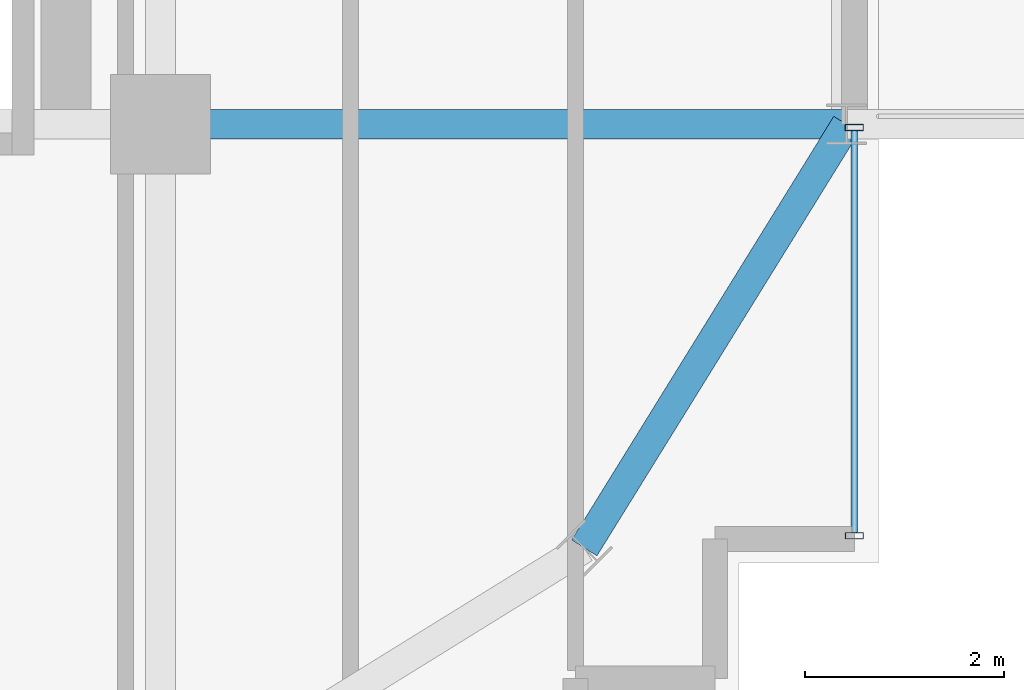
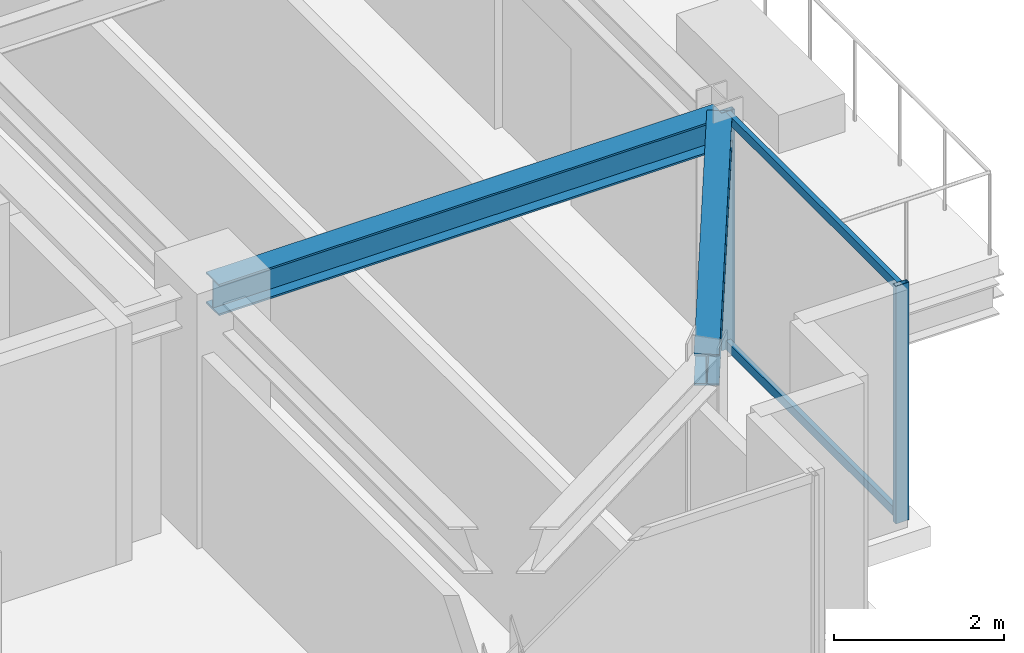
# One storey, part 13 of 36: 4 members, 2 beams, 1 element without a shape of its own.
"""IFC4 building model written with IfcOpenShell, lengths in metres."""

from ifc_helpers import new_model, si_unit, direction, frame, origin, origin_2d, place, context, subcontext, project, spatial, hollow_rectangle, i_section, extrude, source, transform, mapped, material, material_profile, profile_set, type_object, element, aggregate, save


model = new_model("IFC4")

# Units and contexts
model_context = context("Model", 3, precision=1e-05, world=origin(), true_north=direction((0.0, 1.0)))
body_context = subcontext(model_context, "Body", "Model", "MODEL_VIEW")
ifc_project = project(units=[si_unit("LENGTHUNIT", "METRE"), si_unit("AREAUNIT", "SQUARE_METRE"), si_unit("VOLUMEUNIT", "CUBIC_METRE"), si_unit("PLANEANGLEUNIT", "RADIAN"), si_unit("MASSUNIT", "GRAM", prefix="KILO")], contexts=[model_context])

# Site, building, storey
site_placement = place(None, origin())
site = spatial("IfcSite", under=ifc_project, at=site_placement, CompositionType="ELEMENT")
building_placement = place(site_placement, origin())
building = spatial("IfcBuilding", under=site, at=building_placement, Name="Nahalor Promenade Grand Hotel", CompositionType="ELEMENT")
storey_placement = place(building_placement, frame((0.0, 0.0, 219.699951171875)))
storey = spatial("IfcBuildingStorey", under=building, at=storey_placement, Name="L56", CompositionType="ELEMENT", Elevation=219.699951171875)

# Beams
ifc_material_1 = material(Name="Steel S355JR", Category="steel")
ifc_material_profile_1 = material_profile(ifc_material_1, i_section(OverallWidth=0.3, OverallDepth=0.45, WebThickness=0.014, FlangeThickness=0.026, at=origin_2d()), Name="HEB 450")
ifc_profile_set_1 = profile_set([ifc_material_profile_1], Name="Steel S355JR")
beam_type_1 = type_object("IfcBeamType", Name="Beam-Spandrel-HEB450", PredefinedType="SPANDREL", material=ifc_profile_set_1)
shared_shape_1 = source(origin(), body_context, "Body", "SweptSolid", [
    extrude(i_section(OverallWidth=0.3, OverallDepth=0.45, WebThickness=0.014, FlangeThickness=0.026, at=origin_2d()), origin(), (0.0, 0.0, 1.0), 4.997802734375),
])
beam_1_placement = place(storey_placement, frame((21.25, -21.25, 3.18505859375), z_axis=(0.526199891161, 0.850360908404, 0.0), x_axis=(-0.850360908404, 0.526199891161, 0.0)))
element("IfcBeam", 1, at=beam_1_placement, inside=storey, type_object=beam_type_1, Name="BM-L56-SPC-SE-2", PredefinedType="SPANDREL", context=body_context, shape_type="MappedRepresentation", body=[
    mapped(shared_shape_1, transform((0.0, 0.0, 0.0), scale=1.0)),
])
ifc_material_profile_2 = material_profile(ifc_material_1, i_section(OverallWidth=0.3, OverallDepth=0.45, WebThickness=0.014, FlangeThickness=0.026, at=origin_2d()), Name="HEB 450")
ifc_profile_set_2 = profile_set([ifc_material_profile_2], Name="Steel S355JR")
beam_type_2 = type_object("IfcBeamType", Name="Beam-Girder-HEB450", PredefinedType="BEAM", material=ifc_profile_set_2)
shared_shape_2 = source(origin(), body_context, "Body", "SweptSolid", [
    extrude(i_section(OverallWidth=0.3, OverallDepth=0.45, WebThickness=0.014, FlangeThickness=0.026, at=origin_2d()), origin(), (0.0, 0.0, 1.0), 6.8798828125),
])
beam_2_placement = place(storey_placement, frame((17.0, -17.0, 3.18505859375), z_axis=(1.0, 0.0, 0.0), x_axis=(0.0, 1.0, 0.0)))
element("IfcBeam", 2, at=beam_2_placement, inside=storey, type_object=beam_type_2, Name="BM-L56-GX-0-6", PredefinedType="BEAM", context=body_context, shape_type="MappedRepresentation", body=[
    mapped(shared_shape_2, transform((0.0, 0.0, 0.0), scale=1.0)),
])

# Curtain wall, members
ifc_material_2 = material(Name="Anodised Bronze Aluminium EN AW-6063 T6", Category="aluminium")
curtain_wall_type = type_object("IfcCurtainWallType", Name="CW2 Typical Hotel Flush Bronze Unitised Curtain Wall", PredefinedType="USERDEFINED", material=ifc_material_2)
curtain_wall_placement = place(storey_placement, origin())
curtain_wall = element("IfcCurtainWall", 3, at=curtain_wall_placement, inside=storey, type_object=curtain_wall_type, Name="L56 Curtain Wall CW-L56-E-1", ObjectType="UNITISED_CURTAIN_WALL", PredefinedType="USERDEFINED")
ifc_material_profile_3 = material_profile(ifc_material_2, hollow_rectangle(XDim=0.065, YDim=0.18, WallThickness=0.004, at=origin_2d()), Name="CWM 65x180x4")
ifc_profile_set_3 = profile_set([ifc_material_profile_3], Name="Anodised Bronze Aluminium EN AW-6063 T6")
member_type_1 = type_object("IfcMemberType", Name="CWM2 Typical Bronze Mullion 65x180", PredefinedType="MULLION", material=ifc_profile_set_3)
shared_shape_3 = source(origin(), body_context, "Body", "SweptSolid", [
    extrude(hollow_rectangle(XDim=0.065, YDim=0.18, WallThickness=0.004, at=origin_2d()), origin(), (0.0, 0.0, 1.0), 3.41015625),
])
member_1_placement = place(storey_placement, frame((23.9599609375, -21.12744140625, 0.0), z_axis=(0.0, 0.0, 1.0), x_axis=(0.0, 1.0, 0.0)))
member_1 = element("IfcMember", 4, at=member_1_placement, type_object=member_type_1, Name="CW-L56-E-1 Mullion 0", PredefinedType="MULLION", context=body_context, shape_type="MappedRepresentation", body=[
    mapped(shared_shape_3, transform((0.0, 0.0, 0.0), scale=1.0)),
])
member_2_placement = place(storey_placement, frame((23.9599609375, -17.032470703125, 0.0), z_axis=(0.0, 0.0, 1.0), x_axis=(0.0, 1.0, 0.0)))
member_2 = element("IfcMember", 5, at=member_2_placement, type_object=member_type_1, Name="CW-L56-E-1 Mullion 1", PredefinedType="MULLION", context=body_context, shape_type="MappedRepresentation", body=[
    mapped(shared_shape_3, transform((0.0, 0.0, 0.0), scale=1.0)),
])
ifc_material_profile_4 = material_profile(ifc_material_2, hollow_rectangle(XDim=0.065, YDim=0.13, WallThickness=0.004, at=origin_2d()), Name="CWT 65x130x4")
ifc_profile_set_4 = profile_set([ifc_material_profile_4], Name="Anodised Bronze Aluminium EN AW-6063 T6")
member_type_2 = type_object("IfcMemberType", Name="CWT2 Typical Bronze Transom 65x130", PredefinedType="USERDEFINED", material=ifc_profile_set_4)
shared_shape_4 = source(origin(), body_context, "Body", "SweptSolid", [
    extrude(hollow_rectangle(XDim=0.065, YDim=0.13, WallThickness=0.004, at=origin_2d()), origin(), (0.0, 0.0, 1.0), 4.030029296875),
])
member_3_placement = place(storey_placement, frame((23.9599609375, -21.094970703125, 0.06494140625), z_axis=(0.0, 1.0, 0.0), x_axis=(-1.0, 0.0, 0.0)))
member_3 = element("IfcMember", 6, at=member_3_placement, type_object=member_type_2, Name="CW-L56-E-1 Transom 0-0", ObjectType="TRANSOM", PredefinedType="USERDEFINED", context=body_context, shape_type="MappedRepresentation", body=[
    mapped(shared_shape_4, transform((0.0, 0.0, 0.0), scale=1.0)),
])
member_4_placement = place(storey_placement, frame((23.9599609375, -21.094970703125, 3.344970703125), z_axis=(0.0, 1.0, 0.0), x_axis=(-1.0, 0.0, 0.0)))
member_4 = element("IfcMember", 7, at=member_4_placement, type_object=member_type_2, Name="CW-L56-E-1 Transom 0-1", ObjectType="TRANSOM", PredefinedType="USERDEFINED", context=body_context, shape_type="MappedRepresentation", body=[
    mapped(shared_shape_4, transform((0.0, 0.0, 0.0), scale=1.0)),
])
aggregate(curtain_wall, [member_1, member_2, member_3, member_4])

save(model, "model.ifc")
